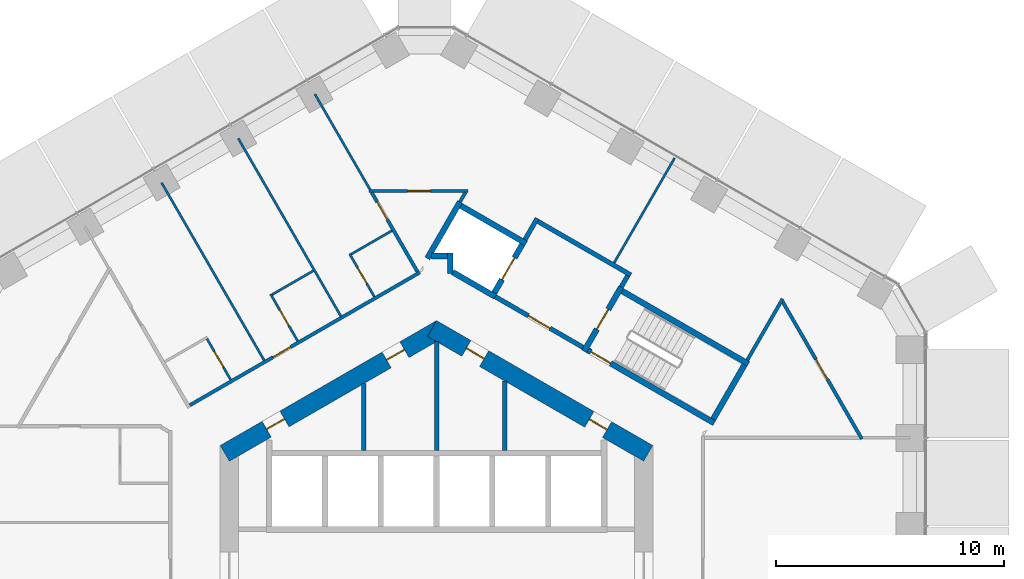
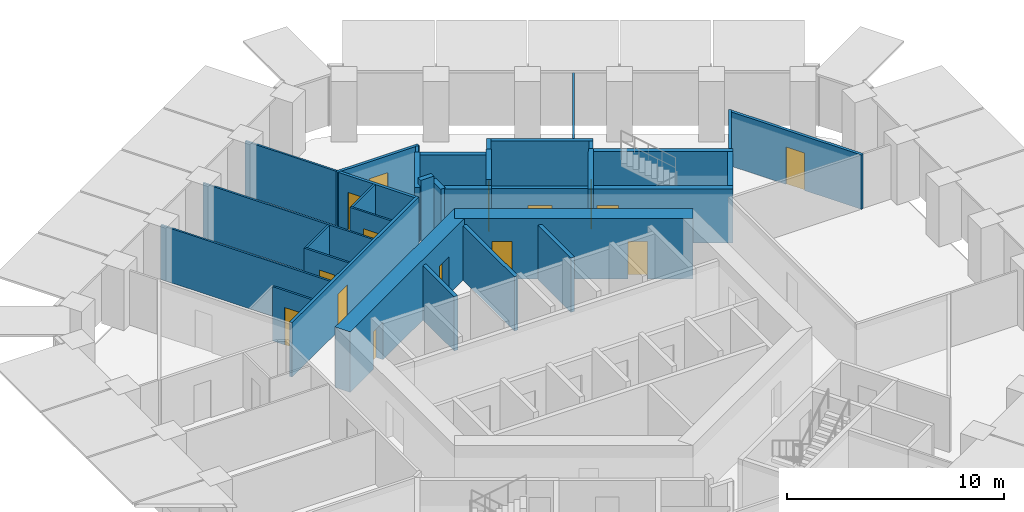
# One storey, part 14 of 19: 34 walls, 15 doors, 15 openings.
"""IFC4 building model written with IfcOpenShell, lengths in metres."""

from ifc_helpers import new_model, si_unit, direction, frame, frame_2d, origin, place, context, subcontext, project, spatial, rectangle, extrude, material, layer, layer_set, type_object, element, fill, save


model = new_model("IFC4")

# Units and contexts
model_context = context("Model", 3, precision=1e-05, world=origin(), true_north=direction((0.0, 1.0)))
body_context = subcontext(model_context, "Body", "Model", "MODEL_VIEW")
ifc_project = project(units=[si_unit("LENGTHUNIT", "METRE"), si_unit("AREAUNIT", "SQUARE_METRE"), si_unit("VOLUMEUNIT", "CUBIC_METRE"), si_unit("PLANEANGLEUNIT", "RADIAN"), si_unit("MASSUNIT", "GRAM", prefix="KILO")], contexts=[model_context])

# Site, building, storey
site_placement = place(None, origin())
site = spatial("IfcSite", under=ifc_project, at=site_placement, CompositionType="ELEMENT")
building_placement = place(site_placement, origin())
building = spatial("IfcBuilding", under=site, at=building_placement, Name="Ayvan Gate Tower", CompositionType="ELEMENT")
storey_placement = place(building_placement, frame((0.0, 0.0, 52.699951171875)))
storey = spatial("IfcBuildingStorey", under=building, at=storey_placement, Name="L13", CompositionType="ELEMENT", Elevation=52.699951171875)

# Wall, openings, doors
ifc_material_1 = material(Name="Concrete C70/85", Category="concrete")
ifc_layer_1 = layer(ifc_material_1, 0.800048828125)
ifc_layer_set_1 = layer_set([ifc_layer_1], Name="Concrete C70/85")
wall_type_1 = type_object("IfcWallType", Name="Core wall 800 C70/85", PredefinedType="SHEAR", material=ifc_layer_set_1)
wall_1_placement = place(storey_placement, frame((9.300048828125, 5.138427734375, 0.0), z_axis=(0.0, 0.0, 1.0), x_axis=(-0.866023993627, 0.500002442456, 0.0)))
wall_1 = element("IfcWall", 1, at=wall_1_placement, inside=storey, type_object=wall_type_1, Name="CORE-L13-1", PredefinedType="SHEAR", context=body_context, shape_type="SweptSolid", body=[
    extrude(rectangle(XDim=10.9697265625, YDim=0.800048828125, at=frame_2d((5.48486328125, 0.0))), origin(), (0.0, 0.0, 1.0), 3.400146484375),
])
opening_1_placement = place(wall_1_placement, frame((8.326416015625, 0.0, 0.0)))
opening_1 = element("IfcOpeningElement", 2, at=opening_1_placement, cuts=wall_1, Name="Opening L13-D36", PredefinedType="OPENING", context=body_context, shape_type="SweptSolid", body=[
    extrude(rectangle(XDim=0.89990234375, YDim=2.10009765625, at=frame_2d((0.449951171875, 1.050048828125))), frame((0.0, 0.409912109375, 0.0), z_axis=(0.0, -1.0, 0.0), x_axis=(1.0, 0.0, 0.0)), (0.0, 0.0, 1.0), 0.820068359375),
])
opening_2_placement = place(wall_1_placement, frame((2.09130859375, 0.0, 0.0)))
opening_2 = element("IfcOpeningElement", 3, at=opening_2_placement, cuts=wall_1, Name="Opening L13-D37", PredefinedType="OPENING", context=body_context, shape_type="SweptSolid", body=[
    extrude(rectangle(XDim=0.89990234375, YDim=2.10009765625, at=frame_2d((0.449951171875, 1.050048828125))), frame((0.0, 0.409912109375, 0.0), z_axis=(0.0, -1.0, 0.0), x_axis=(1.0, 0.0, 0.0)), (0.0, 0.0, 1.0), 0.820068359375),
])
ifc_material_2 = material(Name="Timber door leaf", Category="wood")
door_type_1 = type_object("IfcDoorType", Name="DT-900", OperationType="NOTDEFINED", PredefinedType="DOOR", material=ifc_material_2)
door_1_placement = place(opening_1_placement, origin())
door_1 = element("IfcDoor", 4, at=door_1_placement, inside=storey, type_object=door_type_1, Name="CD-L13-36", OperationType="SINGLE_SWING_LEFT", OverallHeight=2.10009765625, OverallWidth=0.89990234375, PredefinedType="DOOR", context=body_context, shape_type="SweptSolid", body=[
    extrude(rectangle(XDim=0.89990234375, YDim=2.10009765625, at=frame_2d((0.449951171875, 1.050048828125))), frame((0.0, 0.02490234375, 0.0), z_axis=(0.0, -1.0, 0.0), x_axis=(1.0, 0.0, 0.0)), (0.0, 0.0, 1.0), 0.050048828125),
])
fill(opening_1, door_1)
door_2_placement = place(opening_2_placement, origin())
door_2 = element("IfcDoor", 5, at=door_2_placement, inside=storey, type_object=door_type_1, Name="CD-L13-37", OperationType="SINGLE_SWING_RIGHT", OverallHeight=2.10009765625, OverallWidth=0.89990234375, PredefinedType="DOOR", context=body_context, shape_type="SweptSolid", body=[
    extrude(rectangle(XDim=0.89990234375, YDim=2.10009765625, at=frame_2d((0.449951171875, 1.050048828125))), frame((0.0, 0.02490234375, 0.0), z_axis=(0.0, -1.0, 0.0), x_axis=(1.0, 0.0, 0.0)), (0.0, 0.0, 1.0), 0.050048828125),
])
fill(opening_2, door_2)

wall_2_placement = place(storey_placement, frame((0.199951171875, 10.623291015625, 0.0), z_axis=(0.0, 0.0, 1.0), x_axis=(-0.866023993627, -0.500002442456, 0.0)))
wall_2 = element("IfcWall", 6, at=wall_2_placement, inside=storey, type_object=wall_type_1, Name="CORE-L13-2", PredefinedType="SHEAR", context=body_context, shape_type="SweptSolid", body=[
    extrude(rectangle(XDim=10.9697265625, YDim=0.800048828125, at=frame_2d((5.48486328125, 0.0))), origin(), (0.0, 0.0, 1.0), 3.400146484375),
])
opening_3_placement = place(wall_2_placement, frame((7.943603515625, 0.0, 0.0)))
opening_3 = element("IfcOpeningElement", 7, at=opening_3_placement, cuts=wall_2, Name="Opening L13-D34", PredefinedType="OPENING", context=body_context, shape_type="SweptSolid", body=[
    extrude(rectangle(XDim=0.89990234375, YDim=2.10009765625, at=frame_2d((0.449951171875, 1.050048828125))), frame((0.0, 0.409912109375, 0.0), z_axis=(0.0, -1.0, 0.0), x_axis=(1.0, 0.0, 0.0)), (0.0, 0.0, 1.0), 0.820068359375),
])
opening_4_placement = place(wall_2_placement, frame((1.860107421875, 0.0, 0.0)))
opening_4 = element("IfcOpeningElement", 8, at=opening_4_placement, cuts=wall_2, Name="Opening L13-D35", PredefinedType="OPENING", context=body_context, shape_type="SweptSolid", body=[
    extrude(rectangle(XDim=0.89990234375, YDim=2.10009765625, at=frame_2d((0.449951171875, 1.050048828125))), frame((0.0, 0.409912109375, 0.0), z_axis=(0.0, -1.0, 0.0), x_axis=(1.0, 0.0, 0.0)), (0.0, 0.0, 1.0), 0.820068359375),
])
door_3_placement = place(opening_3_placement, origin())
door_3 = element("IfcDoor", 9, at=door_3_placement, inside=storey, type_object=door_type_1, Name="CD-L13-34", OperationType="SINGLE_SWING_LEFT", OverallHeight=2.10009765625, OverallWidth=0.89990234375, PredefinedType="DOOR", context=body_context, shape_type="SweptSolid", body=[
    extrude(rectangle(XDim=0.89990234375, YDim=2.10009765625, at=frame_2d((0.449951171875, 1.050048828125))), frame((0.0, 0.02490234375, 0.0), z_axis=(0.0, -1.0, 0.0), x_axis=(1.0, 0.0, 0.0)), (0.0, 0.0, 1.0), 0.050048828125),
])
fill(opening_3, door_3)
door_4_placement = place(opening_4_placement, origin())
door_4 = element("IfcDoor", 10, at=door_4_placement, inside=storey, type_object=door_type_1, Name="CD-L13-35", OperationType="SINGLE_SWING_RIGHT", OverallHeight=2.10009765625, OverallWidth=0.89990234375, PredefinedType="DOOR", context=body_context, shape_type="SweptSolid", body=[
    extrude(rectangle(XDim=0.89990234375, YDim=2.10009765625, at=frame_2d((0.449951171875, 1.050048828125))), frame((0.0, 0.02490234375, 0.0), z_axis=(0.0, -1.0, 0.0), x_axis=(1.0, 0.0, 0.0)), (0.0, 0.0, 1.0), 0.050048828125),
])
fill(opening_4, door_4)

# Wall, opening, door
ifc_material_3 = material(Name="Plasterboard on steel stud", Category="steel")
ifc_layer_2 = layer(ifc_material_3, 0.14990234375)
ifc_layer_set_2 = layer_set([ifc_layer_2], Name="Plasterboard on steel stud")
wall_type_2 = type_object("IfcWallType", Name="WT-CORR-150", PredefinedType="PARTITIONING", material=ifc_layer_set_2)
wall_3_placement = place(storey_placement, frame((-10.835693359375, 7.254150390625, 0.0), z_axis=(0.0, 0.0, 1.0), x_axis=(0.866028032582, 0.499995446761, 0.0)))
wall_3 = element("IfcWall", 11, at=wall_3_placement, inside=storey, type_object=wall_type_2, Name="IW-L13-018", PredefinedType="PARTITIONING", context=body_context, shape_type="SweptSolid", body=[
    extrude(rectangle(XDim=11.66357421875, YDim=0.14990234375, at=frame_2d((5.831787109375, 0.0))), origin(), (0.0, 0.0, 1.0), 3.050048828125),
])
opening_5_placement = place(wall_3_placement, frame((4.212890625, 0.0, 0.0)))
opening_5 = element("IfcOpeningElement", 12, at=opening_5_placement, cuts=wall_3, Name="Opening L13-D30", PredefinedType="OPENING", context=body_context, shape_type="SweptSolid", body=[
    extrude(rectangle(XDim=0.89990234375, YDim=2.10009765625, at=frame_2d((0.449951171875, 1.050048828125))), frame((0.0, 0.0849609375, 0.0), z_axis=(0.0, -1.0, 0.0), x_axis=(1.0, 0.0, 0.0)), (0.0, 0.0, 1.0), 0.169921875),
])
door_5_placement = place(opening_5_placement, origin())
door_5 = element("IfcDoor", 13, at=door_5_placement, inside=storey, type_object=door_type_1, Name="ID-L13-030", OperationType="SINGLE_SWING_LEFT", OverallHeight=2.10009765625, OverallWidth=0.89990234375, PredefinedType="DOOR", context=body_context, shape_type="SweptSolid", body=[
    extrude(rectangle(XDim=0.89990234375, YDim=2.10009765625, at=frame_2d((0.449951171875, 1.050048828125))), frame((0.0, 0.02490234375, 0.0), z_axis=(0.0, -1.0, 0.0), x_axis=(1.0, 0.0, 0.0)), (0.0, 0.0, 1.0), 0.050048828125),
])
fill(opening_5, door_5)

wall_4_placement = place(storey_placement, frame((-2.960693359375, 16.661865234375, 0.0), z_axis=(0.0, 0.0, 1.0), x_axis=(1.0, 0.0, 0.0)))
wall_4 = element("IfcWall", 14, at=wall_4_placement, inside=storey, type_object=wall_type_2, Name="IW-L13-050", PredefinedType="PARTITIONING", context=body_context, shape_type="SweptSolid", body=[
    extrude(rectangle(XDim=4.341552734375, YDim=0.14990234375, at=frame_2d((2.1708984375, 0.0))), origin(), (0.0, 0.0, 1.0), 3.050048828125),
])
opening_6_placement = place(wall_4_placement, frame((1.68798828125, 0.0, 0.0)))
opening_6 = element("IfcOpeningElement", 15, at=opening_6_placement, cuts=wall_4, Name="Opening L13-D19", PredefinedType="OPENING", context=body_context, shape_type="SweptSolid", body=[
    extrude(rectangle(XDim=1.0, YDim=2.10009765625, at=frame_2d((0.5, 1.050048828125))), frame((0.0, 0.0849609375, 0.0), z_axis=(0.0, -1.0, 0.0), x_axis=(1.0, 0.0, 0.0)), (0.0, 0.0, 1.0), 0.169921875),
])
door_type_2 = type_object("IfcDoorType", Name="DT-1000", OperationType="NOTDEFINED", PredefinedType="DOOR", material=ifc_material_2)
door_6_placement = place(opening_6_placement, origin())
door_6 = element("IfcDoor", 16, at=door_6_placement, inside=storey, type_object=door_type_2, Name="ID-L13-019", OperationType="SINGLE_SWING_RIGHT", OverallHeight=2.10009765625, OverallWidth=1.0, PredefinedType="DOOR", context=body_context, shape_type="SweptSolid", body=[
    extrude(rectangle(XDim=1.0, YDim=2.10009765625, at=frame_2d((0.5, 1.050048828125))), frame((0.0, 0.02490234375, 0.0), z_axis=(0.0, -1.0, 0.0), x_axis=(1.0, 0.0, 0.0)), (0.0, 0.0, 1.0), 0.050048828125),
])
fill(opening_6, door_6)

wall_5_placement = place(storey_placement, frame((-2.84814453125, 16.5966796875, 0.0), z_axis=(0.0, 0.0, 1.0), x_axis=(0.500016677412, -0.866015774862, 0.0)))
wall_5 = element("IfcWall", 17, at=wall_5_placement, inside=storey, type_object=wall_type_2, Name="IW-L13-056", PredefinedType="PARTITIONING", context=body_context, shape_type="SweptSolid", body=[
    extrude(rectangle(XDim=4.022216796875, YDim=0.14990234375, at=frame_2d((2.01123046875, 0.0))), origin(), (0.0, 0.0, 1.0), 3.050048828125),
])
opening_7_placement = place(wall_5_placement, frame((0.483642578125, 0.0, 0.0)))
opening_7 = element("IfcOpeningElement", 18, at=opening_7_placement, cuts=wall_5, Name="Opening L13-D28", PredefinedType="OPENING", context=body_context, shape_type="SweptSolid", body=[
    extrude(rectangle(XDim=0.89990234375, YDim=2.10009765625, at=frame_2d((0.449951171875, 1.050048828125))), frame((0.0, 0.0849609375, 0.0), z_axis=(0.0, -1.0, 0.0), x_axis=(1.0, 0.0, 0.0)), (0.0, 0.0, 1.0), 0.169921875),
])
door_7_placement = place(opening_7_placement, origin())
door_7 = element("IfcDoor", 19, at=door_7_placement, inside=storey, type_object=door_type_1, Name="ID-L13-028", OperationType="SINGLE_SWING_LEFT", OverallHeight=2.10009765625, OverallWidth=0.89990234375, PredefinedType="DOOR", context=body_context, shape_type="SweptSolid", body=[
    extrude(rectangle(XDim=0.89990234375, YDim=2.10009765625, at=frame_2d((0.449951171875, 1.050048828125))), frame((0.0, 0.02490234375, 0.0), z_axis=(0.0, -1.0, 0.0), x_axis=(1.0, 0.0, 0.0)), (0.0, 0.0, 1.0), 0.050048828125),
])
fill(opening_7, door_7)

# Walls
wall_6_placement = place(storey_placement, frame((1.268310546875, 16.5966796875, 0.0), z_axis=(0.0, 0.0, 1.0), x_axis=(-0.500058339205, -0.865991719008, 0.0)))
element("IfcWall", 20, at=wall_6_placement, inside=storey, type_object=wall_type_2, Name="IW-L13-069", PredefinedType="PARTITIONING", context=body_context, shape_type="SweptSolid", body=[
    extrude(rectangle(XDim=0.482421875, YDim=0.14990234375, at=frame_2d((0.2412109375, 0.0))), origin(), (0.0, 0.0, 1.0), 3.050048828125),
])
wall_7_placement = place(storey_placement, frame((13.647705078125, 9.23876953125, 0.0), z_axis=(0.0, 0.0, 1.0), x_axis=(0.500022035744, 0.866012681068, 0.0)))
element("IfcWall", 21, at=wall_7_placement, inside=storey, type_object=wall_type_2, Name="IW-L13-106", PredefinedType="PARTITIONING", context=body_context, shape_type="SweptSolid", body=[
    extrude(rectangle(XDim=3.103759765625, YDim=0.14990234375, at=frame_2d((1.5517578125, 0.0))), origin(), (0.0, 0.0, 1.0), 3.050048828125),
])

# Wall, opening, door
wall_8_placement = place(storey_placement, frame((15.19970703125, 11.796875, 0.0), z_axis=(0.0, 0.0, 1.0), x_axis=(0.500000675876, -0.866025013567, 0.0)))
wall_8 = element("IfcWall", 22, at=wall_8_placement, inside=storey, type_object=wall_type_2, Name="IW-L13-108", PredefinedType="PARTITIONING", context=body_context, shape_type="SweptSolid", body=[
    extrude(rectangle(XDim=6.962890625, YDim=0.14990234375, at=frame_2d((3.4814453125, 0.0))), origin(), (0.0, 0.0, 1.0), 3.050048828125),
])
opening_8_placement = place(wall_8_placement, frame((2.926513671875, 0.0, 0.0)))
opening_8 = element("IfcOpeningElement", 23, at=opening_8_placement, cuts=wall_8, Name="Opening L13-D18", PredefinedType="OPENING", context=body_context, shape_type="SweptSolid", body=[
    extrude(rectangle(XDim=1.0, YDim=2.10009765625, at=frame_2d((0.5, 1.050048828125))), frame((0.0, 0.0849609375, 0.0), z_axis=(0.0, -1.0, 0.0), x_axis=(1.0, 0.0, 0.0)), (0.0, 0.0, 1.0), 0.169921875),
])
door_8_placement = place(opening_8_placement, origin())
door_8 = element("IfcDoor", 24, at=door_8_placement, inside=storey, type_object=door_type_2, Name="ID-L13-018", OperationType="SINGLE_SWING_LEFT", OverallHeight=2.10009765625, OverallWidth=1.0, PredefinedType="DOOR", context=body_context, shape_type="SweptSolid", body=[
    extrude(rectangle(XDim=1.0, YDim=2.10009765625, at=frame_2d((0.5, 1.050048828125))), frame((0.0, 0.02490234375, 0.0), z_axis=(0.0, -1.0, 0.0), x_axis=(1.0, 0.0, 0.0)), (0.0, 0.0, 1.0), 0.050048828125),
])
fill(opening_8, door_8)

ifc_layer_3 = layer(ifc_material_3, 0.10009765625)
ifc_layer_set_3 = layer_set([ifc_layer_3], Name="Plasterboard on steel stud")
wall_type_3 = type_object("IfcWallType", Name="WT-PART-100", PredefinedType="PARTITIONING", material=ifc_layer_set_3)
wall_9_placement = place(storey_placement, frame((-9.043212890625, 8.37548828125, 0.0), z_axis=(0.0, 0.0, 1.0), x_axis=(-0.500011000363, 0.866019052629, 0.0)))
wall_9 = element("IfcWall", 25, at=wall_9_placement, inside=storey, type_object=wall_type_3, Name="IW-L13-020", PredefinedType="PARTITIONING", context=body_context, shape_type="SweptSolid", body=[
    extrude(rectangle(XDim=2.0751953125, YDim=0.10009765625, at=frame_2d((1.03759765625, 0.0))), origin(), (0.0, 0.0, 1.0), 3.050048828125),
])
opening_9_placement = place(wall_9_placement, frame((0.637451171875, 0.0, 0.0)))
opening_9 = element("IfcOpeningElement", 26, at=opening_9_placement, cuts=wall_9, Name="Opening L13-D33", PredefinedType="OPENING", context=body_context, shape_type="SweptSolid", body=[
    extrude(rectangle(XDim=0.800048828125, YDim=2.10009765625, at=frame_2d((0.39990234375, 1.050048828125))), frame((0.0, 0.06005859375, 0.0), z_axis=(0.0, -1.0, 0.0), x_axis=(1.0, 0.0, 0.0)), (0.0, 0.0, 1.0), 0.1201171875),
])
door_type_3 = type_object("IfcDoorType", Name="DT-800", OperationType="NOTDEFINED", PredefinedType="DOOR", material=ifc_material_2)
door_9_placement = place(opening_9_placement, origin())
door_9 = element("IfcDoor", 27, at=door_9_placement, inside=storey, type_object=door_type_3, Name="ID-L13-033", OperationType="SINGLE_SWING_RIGHT", OverallHeight=2.10009765625, OverallWidth=0.800048828125, PredefinedType="DOOR", context=body_context, shape_type="SweptSolid", body=[
    extrude(rectangle(XDim=0.800048828125, YDim=2.10009765625, at=frame_2d((0.39990234375, 1.050048828125))), frame((0.0, 0.02490234375, 0.0), z_axis=(0.0, -1.0, 0.0), x_axis=(1.0, 0.0, 0.0)), (0.0, 0.0, 1.0), 0.050048828125),
])
fill(opening_9, door_9)

# Wall
wall_10_placement = place(storey_placement, frame((-7.571044921875, 9.2255859375, 0.0), z_axis=(0.0, 0.0, 1.0), x_axis=(-0.499989081013, 0.866031707772, 0.0)))
element("IfcWall", 28, at=wall_10_placement, inside=storey, type_object=wall_type_3, Name="IW-L13-027", PredefinedType="PARTITIONING", context=body_context, shape_type="SweptSolid", body=[
    extrude(rectangle(XDim=9.009521484375, YDim=0.10009765625, at=frame_2d((4.5048828125, 0.0))), origin(), (0.0, 0.0, 1.0), 3.050048828125),
])

# Wall, opening, door
wall_11_placement = place(storey_placement, frame((-7.286376953125, 12.13232421875, 0.0), z_axis=(0.0, 0.0, 1.0), x_axis=(0.499986429846, -0.866033238375, 0.0)))
wall_11 = element("IfcWall", 29, at=wall_11_placement, inside=storey, type_object=wall_type_3, Name="IW-L13-033", PredefinedType="PARTITIONING", context=body_context, shape_type="SweptSolid", body=[
    extrude(rectangle(XDim=2.375, YDim=0.10009765625, at=frame_2d((1.1875, 0.0))), origin(), (0.0, 0.0, 1.0), 3.050048828125),
])
opening_10_placement = place(wall_11_placement, frame((0.8125, 0.0, 0.0)))
opening_10 = element("IfcOpeningElement", 30, at=opening_10_placement, cuts=wall_11, Name="Opening L13-D31", PredefinedType="OPENING", context=body_context, shape_type="SweptSolid", body=[
    extrude(rectangle(XDim=0.800048828125, YDim=2.10009765625, at=frame_2d((0.39990234375, 1.050048828125))), frame((0.0, 0.06005859375, 0.0), z_axis=(0.0, -1.0, 0.0), x_axis=(1.0, 0.0, 0.0)), (0.0, 0.0, 1.0), 0.1201171875),
])
door_10_placement = place(opening_10_placement, origin())
door_10 = element("IfcDoor", 31, at=door_10_placement, inside=storey, type_object=door_type_3, Name="ID-L13-031", OperationType="SINGLE_SWING_RIGHT", OverallHeight=2.10009765625, OverallWidth=0.800048828125, PredefinedType="DOOR", context=body_context, shape_type="SweptSolid", body=[
    extrude(rectangle(XDim=0.800048828125, YDim=2.10009765625, at=frame_2d((0.39990234375, 1.050048828125))), frame((0.0, 0.02490234375, 0.0), z_axis=(0.0, -1.0, 0.0), x_axis=(1.0, 0.0, 0.0)), (0.0, 0.0, 1.0), 0.050048828125),
])
fill(opening_10, door_10)

# Walls
wall_12_placement = place(storey_placement, frame((-5.409912109375, 13.157958984375, 0.0), z_axis=(0.0, 0.0, 1.0), x_axis=(-0.866018117109, -0.50001262068, 0.0)))
element("IfcWall", 32, at=wall_12_placement, inside=storey, type_object=wall_type_3, Name="IW-L13-039", PredefinedType="PARTITIONING", context=body_context, shape_type="SweptSolid", body=[
    extrude(rectangle(XDim=2.087890625, YDim=0.10009765625, at=frame_2d((1.0439453125, 0.0))), origin(), (0.0, 0.0, 1.0), 3.050048828125),
])
wall_13_placement = place(storey_placement, frame((-8.708740234375, 18.971923828125, 0.0), z_axis=(0.0, 0.0, 1.0), x_axis=(0.499989081013, -0.866031707772, 0.0)))
element("IfcWall", 33, at=wall_13_placement, inside=storey, type_object=wall_type_3, Name="IW-L13-040", PredefinedType="PARTITIONING", context=body_context, shape_type="SweptSolid", body=[
    extrude(rectangle(XDim=9.009521484375, YDim=0.10009765625, at=frame_2d((4.5048828125, 0.0))), origin(), (0.0, 0.0, 1.0), 3.050048828125),
])

# Wall, opening, door
wall_14_placement = place(storey_placement, frame((-3.8193359375, 13.903076171875, 0.0), z_axis=(0.0, 0.0, 1.0), x_axis=(0.500013916395, -0.866017369001, 0.0)))
wall_14 = element("IfcWall", 34, at=wall_14_placement, inside=storey, type_object=wall_type_3, Name="IW-L13-047", PredefinedType="PARTITIONING", context=body_context, shape_type="SweptSolid", body=[
    extrude(rectangle(XDim=2.17529296875, YDim=0.10009765625, at=frame_2d((1.087646484375, 0.0))), origin(), (0.0, 0.0, 1.0), 3.050048828125),
])
opening_11_placement = place(wall_14_placement, frame((0.71240234375, 0.0, 0.0)))
opening_11 = element("IfcOpeningElement", 35, at=opening_11_placement, cuts=wall_14, Name="Opening L13-D29", PredefinedType="OPENING", context=body_context, shape_type="SweptSolid", body=[
    extrude(rectangle(XDim=0.800048828125, YDim=2.10009765625, at=frame_2d((0.39990234375, 1.050048828125))), frame((0.0, 0.06005859375, 0.0), z_axis=(0.0, -1.0, 0.0), x_axis=(1.0, 0.0, 0.0)), (0.0, 0.0, 1.0), 0.1201171875),
])
door_11_placement = place(opening_11_placement, origin())
door_11 = element("IfcDoor", 36, at=door_11_placement, inside=storey, type_object=door_type_3, Name="ID-L13-029", OperationType="SINGLE_SWING_RIGHT", OverallHeight=2.10009765625, OverallWidth=0.800048828125, PredefinedType="DOOR", context=body_context, shape_type="SweptSolid", body=[
    extrude(rectangle(XDim=0.800048828125, YDim=2.10009765625, at=frame_2d((0.39990234375, 1.050048828125))), frame((0.0, 0.02490234375, 0.0), z_axis=(0.0, -1.0, 0.0), x_axis=(1.0, 0.0, 0.0)), (0.0, 0.0, 1.0), 0.050048828125),
])
fill(opening_11, door_11)

# Walls
wall_15_placement = place(storey_placement, frame((-2.923095703125, 16.726806640625, 0.0), z_axis=(0.0, 0.0, 1.0), x_axis=(-0.500009339412, 0.866020011605, 0.0)))
element("IfcWall", 37, at=wall_15_placement, inside=storey, type_object=wall_type_3, Name="IW-L13-049", PredefinedType="PARTITIONING", context=body_context, shape_type="SweptSolid", body=[
    extrude(rectangle(XDim=4.83740234375, YDim=0.10009765625, at=frame_2d((2.418701171875, 0.0))), origin(), (0.0, 0.0, 1.0), 3.050048828125),
])
wall_16_placement = place(storey_placement, frame((-1.96435546875, 14.916259765625, 0.0), z_axis=(0.0, 0.0, 1.0), x_axis=(-0.866027928545, -0.499995626961, 0.0)))
element("IfcWall", 38, at=wall_16_placement, inside=storey, type_object=wall_type_3, Name="IW-L13-055", PredefinedType="PARTITIONING", context=body_context, shape_type="SweptSolid", body=[
    extrude(rectangle(XDim=2.06298828125, YDim=0.10009765625, at=frame_2d((1.031494140625, 0.0))), origin(), (0.0, 0.0, 1.0), 3.050048828125),
])
wall_17_placement = place(storey_placement, frame((7.800048828125, 13.510009765625, 0.0), z_axis=(0.0, 0.0, 1.0), x_axis=(0.499989321821, 0.866031568746, 0.0)))
element("IfcWall", 39, at=wall_17_placement, inside=storey, type_object=wall_type_3, Name="IW-L13-091", PredefinedType="PARTITIONING", context=body_context, shape_type="SweptSolid", body=[
    extrude(rectangle(XDim=5.3056640625, YDim=0.10009765625, at=frame_2d((2.65283203125, 0.0))), origin(), (0.0, 0.0, 1.0), 3.050048828125),
])
ifc_layer_4 = layer(ifc_material_3, 0.199951171875)
ifc_layer_set_4 = layer_set([ifc_layer_4], Name="Plasterboard on steel stud")
wall_type_4 = type_object("IfcWallType", Name="WT-RATED-200", PredefinedType="PARTITIONING", material=ifc_layer_set_4)
wall_18_placement = place(storey_placement, frame((-3.199951171875, 8.198486328125, 0.0), z_axis=(0.0, 0.0, 1.0), x_axis=(0.0, -1.0, 0.0)))
element("IfcWall", 40, at=wall_18_placement, inside=storey, type_object=wall_type_4, Name="IW-L13-048", PredefinedType="PARTITIONING", context=body_context, shape_type="SweptSolid", body=[
    extrude(rectangle(XDim=2.923583984375, YDim=0.199951171875, at=frame_2d((1.4619140625, 0.0))), origin(), (0.0, 0.0, 1.0), 3.050048828125),
])
wall_19_placement = place(storey_placement, frame((0.0, 10.0458984375, 0.0), z_axis=(0.0, 0.0, 1.0), x_axis=(0.0, -1.0, 0.0)))
element("IfcWall", 41, at=wall_19_placement, inside=storey, type_object=wall_type_4, Name="IW-L13-063", PredefinedType="PARTITIONING", context=body_context, shape_type="SweptSolid", body=[
    extrude(rectangle(XDim=4.77099609375, YDim=0.199951171875, at=frame_2d((2.385498046875, 0.0))), origin(), (0.0, 0.0, 1.0), 3.050048828125),
])
wall_20_placement = place(storey_placement, frame((3.0, 8.313720703125, 0.0), z_axis=(0.0, 0.0, 1.0), x_axis=(0.0, -1.0, 0.0)))
element("IfcWall", 42, at=wall_20_placement, inside=storey, type_object=wall_type_4, Name="IW-L13-075", PredefinedType="PARTITIONING", context=body_context, shape_type="SweptSolid", body=[
    extrude(rectangle(XDim=3.038818359375, YDim=0.199951171875, at=frame_2d((1.51953125, 0.0))), origin(), (0.0, 0.0, 1.0), 3.050048828125),
])
wall_21_placement = place(storey_placement, frame((3.885009765625, 14.52880859375, 0.0), z_axis=(0.0, 0.0, 1.0), x_axis=(0.499997628298, 0.866026773083, 0.0)))
element("IfcWall", 43, at=wall_21_placement, inside=storey, type_object=wall_type_4, Name="IW-L13-079", PredefinedType="PARTITIONING", context=body_context, shape_type="SweptSolid", body=[
    extrude(rectangle(XDim=1.0751953125, YDim=0.199951171875, at=frame_2d((0.53759765625, 0.0))), origin(), (0.0, 0.0, 1.0), 3.050048828125),
])
wall_22_placement = place(storey_placement, frame((4.458984375, 15.323486328125, 0.0), z_axis=(0.0, 0.0, 1.0), x_axis=(0.866016039709, -0.500016218704, 0.0)))
element("IfcWall", 44, at=wall_22_placement, inside=storey, type_object=wall_type_4, Name="IW-L13-080", PredefinedType="PARTITIONING", context=body_context, shape_type="SweptSolid", body=[
    extrude(rectangle(XDim=4.699951171875, YDim=0.199951171875, at=frame_2d((2.35009765625, 0.0))), origin(), (0.0, 0.0, 1.0), 3.050048828125),
])

# Wall, opening, door
wall_23_placement = place(storey_placement, frame((6.4345703125, 9.794921875, 0.0), z_axis=(0.0, 0.0, 1.0), x_axis=(-0.866012907634, 0.500021643343, 0.0)))
wall_23 = element("IfcWall", 45, at=wall_23_placement, inside=storey, type_object=wall_type_4, Name="IW-L13-083", PredefinedType="PARTITIONING", context=body_context, shape_type="SweptSolid", body=[
    extrude(rectangle(XDim=4.449951171875, YDim=0.199951171875, at=frame_2d((2.22509765625, 0.0))), origin(), (0.0, 0.0, 1.0), 3.050048828125),
])
opening_12_placement = place(wall_23_placement, frame((1.675048828125, 0.0, 0.0)))
opening_12 = element("IfcOpeningElement", 46, at=opening_12_placement, cuts=wall_23, Name="Opening L13-D08", PredefinedType="OPENING", context=body_context, shape_type="SweptSolid", body=[
    extrude(rectangle(XDim=1.10009765625, YDim=2.10009765625, at=frame_2d((0.550048828125, 1.050048828125))), frame((0.0, 0.10986328125, 0.0), z_axis=(0.0, -1.0, 0.0), x_axis=(1.0, 0.0, 0.0)), (0.0, 0.0, 1.0), 0.219970703125),
])
door_type_4 = type_object("IfcDoorType", Name="DT-1100", OperationType="NOTDEFINED", PredefinedType="DOOR", material=ifc_material_2)
door_12_placement = place(opening_12_placement, origin())
door_12 = element("IfcDoor", 47, at=door_12_placement, inside=storey, type_object=door_type_4, Name="ID-L13-008", OperationType="SINGLE_SWING_LEFT", OverallHeight=2.10009765625, OverallWidth=1.10009765625, PredefinedType="DOOR", context=body_context, shape_type="SweptSolid", body=[
    extrude(rectangle(XDim=1.10009765625, YDim=2.10009765625, at=frame_2d((0.550048828125, 1.050048828125))), frame((0.0, 0.02490234375, 0.0), z_axis=(0.0, -1.0, 0.0), x_axis=(1.0, 0.0, 0.0)), (0.0, 0.0, 1.0), 0.050048828125),
])
fill(opening_12, door_12)

# Walls
wall_24_placement = place(storey_placement, frame((8.392822265625, 12.936767578125, 0.0), z_axis=(0.0, 0.0, 1.0), x_axis=(-0.500065409566, -0.86598763626, 0.0)))
element("IfcWall", 48, at=wall_24_placement, inside=storey, type_object=wall_type_4, Name="IW-L13-093", PredefinedType="PARTITIONING", context=body_context, shape_type="SweptSolid", body=[
    extrude(rectangle(XDim=0.5751953125, YDim=0.199951171875, at=frame_2d((0.28759765625, 0.0))), origin(), (0.0, 0.0, 1.0), 3.050048828125),
])
ifc_material_4 = material(Name="Concrete C50/60", Category="concrete")
ifc_layer_5 = layer(ifc_material_4, 0.25)
ifc_layer_set_5 = layer_set([ifc_layer_5], Name="Concrete C50/60")
wall_type_5 = type_object("IfcWallType", Name="WT-RC-250", PredefinedType="SHEAR", material=ifc_layer_set_5)
wall_25_placement = place(storey_placement, frame((-0.403076171875, 13.70166015625, 0.0), z_axis=(0.0, 0.0, 1.0), x_axis=(0.499976111731, 0.866039195244, 0.0)))
element("IfcWall", 49, at=wall_25_placement, inside=storey, type_object=wall_type_5, Name="IW-L13-060", PredefinedType="SHEAR", context=body_context, shape_type="SweptSolid", body=[
    extrude(rectangle(XDim=2.860595703125, YDim=0.25, at=frame_2d((1.43017578125, 0.0))), origin(), (0.0, 0.0, 1.0), 3.050048828125),
])
wall_26_placement = place(storey_placement, frame((0.60009765625, 13.03857421875, 0.0), z_axis=(0.0, 0.0, 1.0), x_axis=(0.0, 1.0, 0.0)))
element("IfcWall", 50, at=wall_26_placement, inside=storey, type_object=wall_type_5, Name="IW-L13-065", PredefinedType="SHEAR", context=body_context, shape_type="SweptSolid", body=[
    extrude(rectangle(XDim=0.896484375, YDim=0.25, at=frame_2d((0.4482421875, 0.0))), origin(), (0.0, 0.0, 1.0), 3.050048828125),
])
wall_27_placement = place(storey_placement, frame((0.47509765625, 13.81005859375, 0.0), z_axis=(0.0, 0.0, 1.0), x_axis=(-1.0, 0.0, 0.0)))
element("IfcWall", 51, at=wall_27_placement, inside=storey, type_object=wall_type_5, Name="IW-L13-066", PredefinedType="SHEAR", context=body_context, shape_type="SweptSolid", body=[
    extrude(rectangle(XDim=0.690673828125, YDim=0.25, at=frame_2d((0.34521484375, 0.0))), origin(), (0.0, 0.0, 1.0), 3.400146484375),
])
wall_28_placement = place(storey_placement, frame((1.072998046875, 16.00830078125, 0.0), z_axis=(0.0, 0.0, 1.0), x_axis=(0.866040211805, -0.499974350878, 0.0)))
element("IfcWall", 52, at=wall_28_placement, inside=storey, type_object=wall_type_5, Name="IW-L13-067", PredefinedType="SHEAR", context=body_context, shape_type="SweptSolid", body=[
    extrude(rectangle(XDim=3.300048828125, YDim=0.25, at=frame_2d((1.64990234375, 0.0))), origin(), (0.0, 0.0, 1.0), 3.050048828125),
])
wall_29_placement = place(storey_placement, frame((2.580810546875, 12.02001953125, 0.0), z_axis=(0.0, 0.0, 1.0), x_axis=(-0.86603892542, 0.499976579108, 0.0)))
element("IfcWall", 53, at=wall_29_placement, inside=storey, type_object=wall_type_5, Name="IW-L13-073", PredefinedType="SHEAR", context=body_context, shape_type="SweptSolid", body=[
    extrude(rectangle(XDim=2.162109375, YDim=0.25, at=frame_2d((1.0810546875, 0.0))), origin(), (0.0, 0.0, 1.0), 3.050048828125),
])

# Wall, opening, door
wall_30_placement = place(storey_placement, frame((2.534912109375, 12.19091796875, 0.0), z_axis=(0.0, 0.0, 1.0), x_axis=(0.500061746146, 0.865989751695, 0.0)))
wall_30 = element("IfcWall", 54, at=wall_30_placement, inside=storey, type_object=wall_type_5, Name="IW-L13-074", PredefinedType="SHEAR", context=body_context, shape_type="SweptSolid", body=[
    extrude(rectangle(XDim=2.449951171875, YDim=0.25, at=frame_2d((1.22509765625, 0.0))), origin(), (0.0, 0.0, 1.0), 3.400146484375),
])
opening_13_placement = place(wall_30_placement, frame((0.675048828125, 0.0, 0.0)))
opening_13 = element("IfcOpeningElement", 55, at=opening_13_placement, cuts=wall_30, Name="Opening L13-LD-FF1", PredefinedType="OPENING", context=body_context, shape_type="SweptSolid", body=[
    extrude(rectangle(XDim=1.10009765625, YDim=2.10009765625, at=frame_2d((0.550048828125, 1.050048828125))), frame((0.0, 0.135009765625, 0.0), z_axis=(0.0, -1.0, 0.0), x_axis=(1.0, 0.0, 0.0)), (0.0, 0.0, 1.0), 0.27001953125),
])
ifc_material_5 = material(Name="Stainless steel landing door", Category="steel")
door_type_5 = type_object("IfcDoorType", Name="DT-LANDING-1100", OperationType="SLIDING_TO_LEFT", PredefinedType="DOOR", material=ifc_material_5)
door_13_placement = place(opening_13_placement, origin())
door_13 = element("IfcDoor", 56, at=door_13_placement, inside=storey, type_object=door_type_5, Name="ID-L13-009", OperationType="SLIDING_TO_LEFT", OverallHeight=2.10009765625, OverallWidth=1.10009765625, PredefinedType="DOOR", context=body_context, shape_type="SweptSolid", body=[
    extrude(rectangle(XDim=1.10009765625, YDim=2.10009765625, at=frame_2d((0.550048828125, 1.050048828125))), frame((0.0, 0.02490234375, 0.0), z_axis=(0.0, -1.0, 0.0), x_axis=(1.0, 0.0, 0.0)), (0.0, 0.0, 1.0), 0.050048828125),
])
fill(opening_13, door_13)

wall_31_placement = place(storey_placement, frame((6.480224609375, 9.624267578125, 0.0), z_axis=(0.0, 0.0, 1.0), x_axis=(0.500017246033, 0.866015446554, 0.0)))
wall_31 = element("IfcWall", 57, at=wall_31_placement, inside=storey, type_object=wall_type_5, Name="IW-L13-084", PredefinedType="SHEAR", context=body_context, shape_type="SweptSolid", body=[
    extrude(rectangle(XDim=3.25, YDim=0.25, at=frame_2d((1.625, 0.0))), origin(), (0.0, 0.0, 1.0), 3.050048828125),
])
opening_14_placement = place(wall_31_placement, frame((1.125, 0.0, 0.0)))
opening_14 = element("IfcOpeningElement", 58, at=opening_14_placement, cuts=wall_31, Name="Opening L13-D07", PredefinedType="OPENING", context=body_context, shape_type="SweptSolid", body=[
    extrude(rectangle(XDim=1.0, YDim=2.10009765625, at=frame_2d((0.5, 1.050048828125))), frame((0.0, 0.135009765625, 0.0), z_axis=(0.0, -1.0, 0.0), x_axis=(1.0, 0.0, 0.0)), (0.0, 0.0, 1.0), 0.27001953125),
])
door_14_placement = place(opening_14_placement, origin())
door_14 = element("IfcDoor", 59, at=door_14_placement, inside=storey, type_object=door_type_2, Name="ID-L13-007", OperationType="SINGLE_SWING_RIGHT", OverallHeight=2.10009765625, OverallWidth=1.0, PredefinedType="DOOR", context=body_context, shape_type="SweptSolid", body=[
    extrude(rectangle(XDim=1.0, YDim=2.10009765625, at=frame_2d((0.5, 1.050048828125))), frame((0.0, 0.02490234375, 0.0), z_axis=(0.0, -1.0, 0.0), x_axis=(1.0, 0.0, 0.0)), (0.0, 0.0, 1.0), 0.050048828125),
])
fill(opening_14, door_14)

# Wall
wall_32_placement = place(storey_placement, frame((8.151123046875, 12.26806640625, 0.0), z_axis=(0.0, 0.0, 1.0), x_axis=(0.866025499775, -0.499999833739, 0.0)))
element("IfcWall", 60, at=wall_32_placement, inside=storey, type_object=wall_type_5, Name="IW-L13-092", PredefinedType="SHEAR", context=body_context, shape_type="SweptSolid", body=[
    extrude(rectangle(XDim=6.39990234375, YDim=0.25, at=frame_2d((3.199951171875, 0.0))), origin(), (0.0, 0.0, 1.0), 3.050048828125),
])

# Wall, opening, door
wall_33_placement = place(storey_placement, frame((12.193603515625, 6.469970703125, 0.0), z_axis=(0.0, 0.0, 1.0), x_axis=(-0.866025499775, 0.499999833739, 0.0)))
wall_33 = element("IfcWall", 61, at=wall_33_placement, inside=storey, type_object=wall_type_5, Name="IW-L13-104", PredefinedType="SHEAR", context=body_context, shape_type="SweptSolid", body=[
    extrude(rectangle(XDim=6.39990234375, YDim=0.25, at=frame_2d((3.199951171875, 0.0))), origin(), (0.0, 0.0, 1.0), 3.050048828125),
])
opening_15_placement = place(wall_33_placement, frame((5.25, 0.0, 0.0)))
opening_15 = element("IfcOpeningElement", 62, at=opening_15_placement, cuts=wall_33, Name="Opening L13-D06", PredefinedType="OPENING", context=body_context, shape_type="SweptSolid", body=[
    extrude(rectangle(XDim=1.0, YDim=2.10009765625, at=frame_2d((0.5, 1.050048828125))), frame((0.0, 0.135009765625, 0.0), z_axis=(0.0, -1.0, 0.0), x_axis=(1.0, 0.0, 0.0)), (0.0, 0.0, 1.0), 0.27001953125),
])
door_15_placement = place(opening_15_placement, origin())
door_15 = element("IfcDoor", 63, at=door_15_placement, inside=storey, type_object=door_type_2, Name="ID-L13-006", OperationType="SINGLE_SWING_LEFT", OverallHeight=2.10009765625, OverallWidth=1.0, PredefinedType="DOOR", context=body_context, shape_type="SweptSolid", body=[
    extrude(rectangle(XDim=1.0, YDim=2.10009765625, at=frame_2d((0.5, 1.050048828125))), frame((0.0, 0.02490234375, 0.0), z_axis=(0.0, -1.0, 0.0), x_axis=(1.0, 0.0, 0.0)), (0.0, 0.0, 1.0), 0.050048828125),
])
fill(opening_15, door_15)

# Wall
wall_34_placement = place(storey_placement, frame((13.52294921875, 9.022216796875, 0.0), z_axis=(0.0, 0.0, 1.0), x_axis=(-0.500034990121, -0.866005201286, 0.0)))
element("IfcWall", 64, at=wall_34_placement, inside=storey, type_object=wall_type_5, Name="IW-L13-107", PredefinedType="SHEAR", context=body_context, shape_type="SweptSolid", body=[
    extrude(rectangle(XDim=2.749755859375, YDim=0.25, at=frame_2d((1.375, 0.0))), origin(), (0.0, 0.0, 1.0), 3.050048828125),
])

save(model, "model.ifc")
